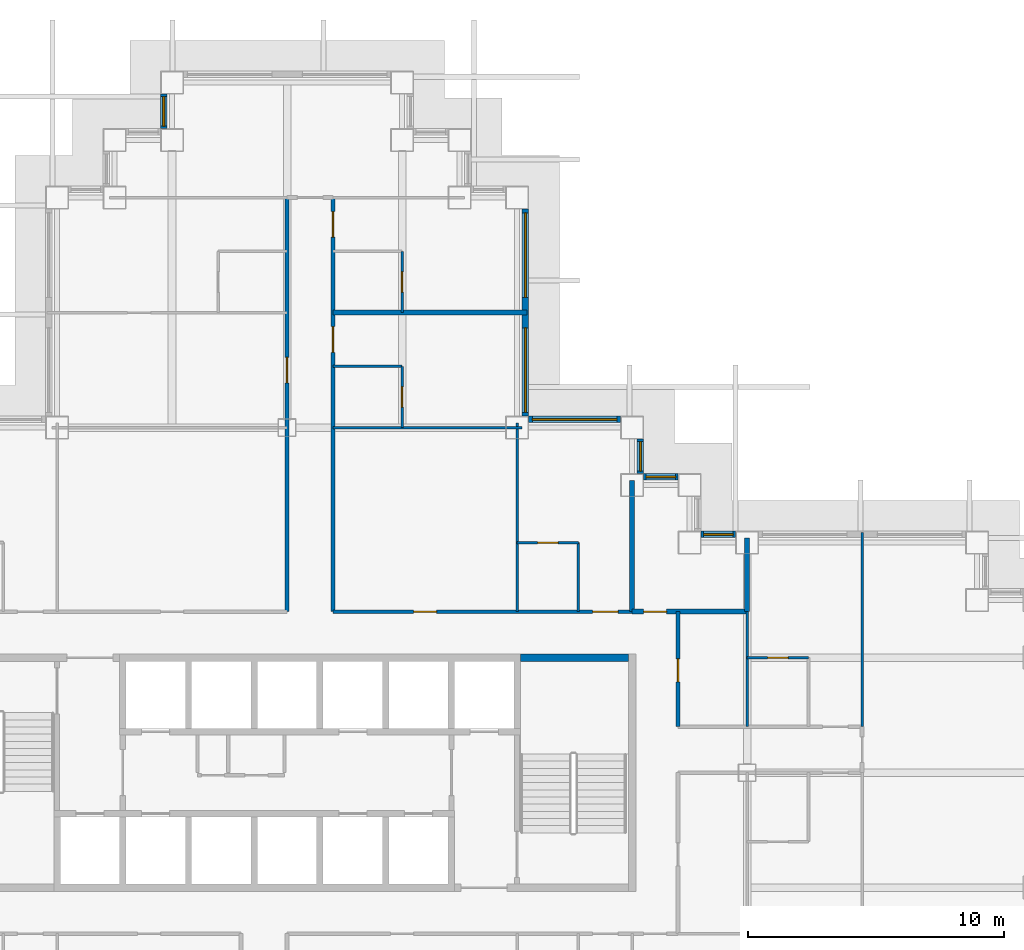
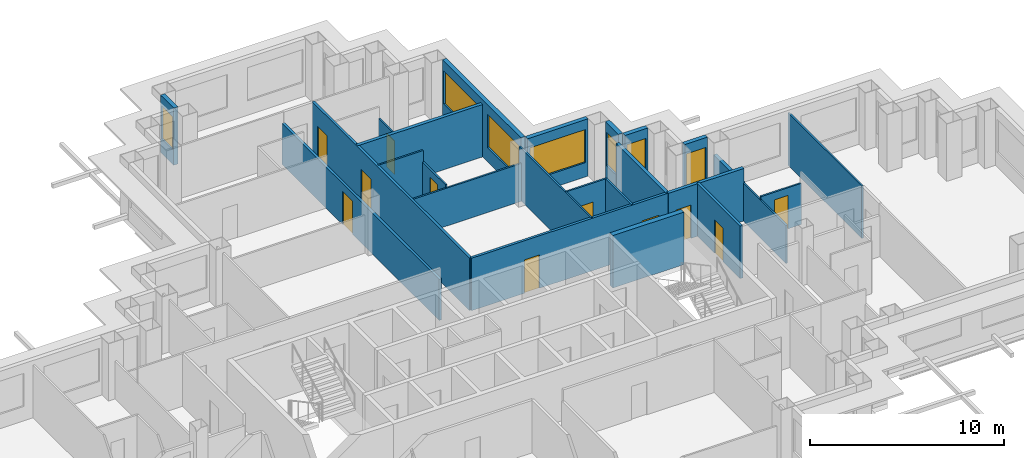
# One storey, part 8 of 15: 25 walls, 11 doors, 7 windows, 18 openings.
"""IFC4 building model written with IfcOpenShell, lengths in metres."""

from ifc_helpers import new_model, si_unit, direction, frame, frame_2d, origin, place, context, subcontext, project, spatial, rectangle, extrude, material, layer, layer_set, type_object, element, fill, save


model = new_model("IFC4")

# Units and contexts
model_context = context("Model", 3, precision=1e-05, world=origin(), true_north=direction((0.0, 1.0)))
body_context = subcontext(model_context, "Body", "Model", "MODEL_VIEW")
ifc_project = project(units=[si_unit("LENGTHUNIT", "METRE"), si_unit("AREAUNIT", "SQUARE_METRE"), si_unit("VOLUMEUNIT", "CUBIC_METRE"), si_unit("PLANEANGLEUNIT", "RADIAN"), si_unit("MASSUNIT", "GRAM", prefix="KILO")], contexts=[model_context])

# Site, building, storey
site_placement = place(None, origin())
site = spatial("IfcSite", under=ifc_project, at=site_placement, CompositionType="ELEMENT")
building_placement = place(site_placement, origin())
building = spatial("IfcBuilding", under=site, at=building_placement, Name="Caravel Reach Hotel and Residences", CompositionType="ELEMENT")
storey_placement = place(building_placement, frame((0.0, 0.0, 111.60009765625)))
storey = spatial("IfcBuildingStorey", under=building, at=storey_placement, Name="L27", CompositionType="ELEMENT", Elevation=111.60009765625)

# Wall, opening, door
ifc_material_1 = material(Name="Gypsum board on steel stud", Category="steel")
ifc_layer_1 = layer(ifc_material_1, 0.10009765625)
ifc_layer_set_1 = layer_set([ifc_layer_1], Name="Bathroom pod wall 100 mm")
wall_type_1 = type_object("IfcWallType", Name="Bathroom pod wall 100 mm", PredefinedType="PARTITIONING", material=ifc_layer_set_1)
wall_1_placement = place(storey_placement, frame((49.5, 31.5, 0.0), z_axis=(0.0, 0.0, 1.0), x_axis=(1.0, 0.0, 0.0)))
wall_1 = element("IfcWall", 1, at=wall_1_placement, inside=storey, type_object=wall_type_1, Name="L27 wall w074", PredefinedType="PARTITIONING", context=body_context, shape_type="SweptSolid", body=[
    extrude(rectangle(XDim=2.39990234375, YDim=0.10009765625, at=frame_2d((1.199951171875, 0.0))), origin(), (0.0, 0.0, 1.0), 2.579833984375),
])
opening_1_placement = place(wall_1_placement, frame((0.800048828125, 0.0, 0.0)))
opening_1 = element("IfcOpeningElement", 2, at=opening_1_placement, cuts=wall_1, Name="Opening D27-023", PredefinedType="OPENING", context=body_context, shape_type="SweptSolid", body=[
    extrude(rectangle(XDim=0.800048828125, YDim=2.10009765625, at=frame_2d((0.39990234375, 1.050048828125))), frame((0.0, 0.06005859375, 0.0), z_axis=(0.0, -1.0, 0.0), x_axis=(1.0, 0.0, 0.0)), (0.0, 0.0, 1.0), 0.1201171875),
])
ifc_material_2 = material(Name="Timber and steel door leaf", Category="steel")
door_type_1 = type_object("IfcDoorType", Name="Bathroom door 800 x 2100", OperationType="SINGLE_SWING_LEFT", PredefinedType="DOOR", material=ifc_material_2)
door_1_placement = place(opening_1_placement, origin())
door_1 = element("IfcDoor", 3, at=door_1_placement, inside=storey, type_object=door_type_1, Name="door D27-023", OperationType="SINGLE_SWING_RIGHT", OverallHeight=2.10009765625, OverallWidth=0.800048828125, PredefinedType="DOOR", context=body_context, shape_type="SweptSolid", body=[
    extrude(rectangle(XDim=0.800048828125, YDim=2.10009765625, at=frame_2d((0.39990234375, 1.050048828125))), frame((0.0, 0.02490234375, 0.0), z_axis=(0.0, -1.0, 0.0), x_axis=(1.0, 0.0, 0.0)), (0.0, 0.0, 1.0), 0.050048828125),
])
fill(opening_1, door_1)

wall_2_placement = place(storey_placement, frame((40.5, 36.0, 0.0), z_axis=(0.0, 0.0, 1.0), x_axis=(1.0, 0.0, 0.0)))
wall_2 = element("IfcWall", 4, at=wall_2_placement, inside=storey, type_object=wall_type_1, Name="L27 wall w076", PredefinedType="PARTITIONING", context=body_context, shape_type="SweptSolid", body=[
    extrude(rectangle(XDim=2.39990234375, YDim=0.10009765625, at=frame_2d((1.199951171875, 0.0))), origin(), (0.0, 0.0, 1.0), 3.2998046875),
])
opening_2_placement = place(wall_2_placement, frame((0.800048828125, 0.0, 0.0)))
opening_2 = element("IfcOpeningElement", 5, at=opening_2_placement, cuts=wall_2, Name="Opening D27-043", PredefinedType="OPENING", context=body_context, shape_type="SweptSolid", body=[
    extrude(rectangle(XDim=0.800048828125, YDim=2.10009765625, at=frame_2d((0.39990234375, 1.050048828125))), frame((0.0, 0.06005859375, 0.0), z_axis=(0.0, -1.0, 0.0), x_axis=(1.0, 0.0, 0.0)), (0.0, 0.0, 1.0), 0.1201171875),
])
door_2_placement = place(opening_2_placement, origin())
door_2 = element("IfcDoor", 6, at=door_2_placement, inside=storey, type_object=door_type_1, Name="door D27-043", OperationType="SINGLE_SWING_LEFT", OverallHeight=2.10009765625, OverallWidth=0.800048828125, PredefinedType="DOOR", context=body_context, shape_type="SweptSolid", body=[
    extrude(rectangle(XDim=0.800048828125, YDim=2.10009765625, at=frame_2d((0.39990234375, 1.050048828125))), frame((0.0, 0.02490234375, 0.0), z_axis=(0.0, -1.0, 0.0), x_axis=(1.0, 0.0, 0.0)), (0.0, 0.0, 1.0), 0.050048828125),
])
fill(opening_2, door_2)

# Wall
wall_3_placement = place(storey_placement, frame((33.300048828125, 42.89990234375, 0.0), z_axis=(0.0, 0.0, 1.0), x_axis=(1.0, 0.0, 0.0)))
element("IfcWall", 7, at=wall_3_placement, inside=storey, type_object=wall_type_1, Name="L27 wall w077", PredefinedType="PARTITIONING", context=body_context, shape_type="SweptSolid", body=[
    extrude(rectangle(XDim=2.699951171875, YDim=0.10009765625, at=frame_2d((1.35009765625, 0.0))), origin(), (0.0, 0.0, 1.0), 3.2998046875),
])

# Wall, opening, door
wall_4_placement = place(storey_placement, frame((36.0, 40.5, 0.0), z_axis=(0.0, 0.0, 1.0), x_axis=(0.0, 1.0, 0.0)))
wall_4 = element("IfcWall", 8, at=wall_4_placement, inside=storey, type_object=wall_type_1, Name="L27 wall w088", PredefinedType="PARTITIONING", context=body_context, shape_type="SweptSolid", body=[
    extrude(rectangle(XDim=2.39990234375, YDim=0.10009765625, at=frame_2d((1.199951171875, 0.0))), origin(), (0.0, 0.0, 1.0), 2.579833984375),
])
opening_3_placement = place(wall_4_placement, frame((0.800048828125, 0.0, 0.0)))
opening_3 = element("IfcOpeningElement", 9, at=opening_3_placement, cuts=wall_4, Name="Opening D27-028", PredefinedType="OPENING", context=body_context, shape_type="SweptSolid", body=[
    extrude(rectangle(XDim=0.800048828125, YDim=2.10009765625, at=frame_2d((0.39990234375, 1.050048828125))), frame((0.0, 0.06005859375, 0.0), z_axis=(0.0, -1.0, 0.0), x_axis=(1.0, 0.0, 0.0)), (0.0, 0.0, 1.0), 0.1201171875),
])
door_3_placement = place(opening_3_placement, origin())
door_3 = element("IfcDoor", 10, at=door_3_placement, inside=storey, type_object=door_type_1, Name="door D27-028", OperationType="SINGLE_SWING_LEFT", OverallHeight=2.10009765625, OverallWidth=0.800048828125, PredefinedType="DOOR", context=body_context, shape_type="SweptSolid", body=[
    extrude(rectangle(XDim=0.800048828125, YDim=2.10009765625, at=frame_2d((0.39990234375, 1.050048828125))), frame((0.0, 0.02490234375, 0.0), z_axis=(0.0, -1.0, 0.0), x_axis=(1.0, 0.0, 0.0)), (0.0, 0.0, 1.0), 0.050048828125),
])
fill(opening_3, door_3)

wall_5_placement = place(storey_placement, frame((36.0, 45.0, 0.0), z_axis=(0.0, 0.0, 1.0), x_axis=(0.0, 1.0, 0.0)))
wall_5 = element("IfcWall", 11, at=wall_5_placement, inside=storey, type_object=wall_type_1, Name="L27 wall w089", PredefinedType="PARTITIONING", context=body_context, shape_type="SweptSolid", body=[
    extrude(rectangle(XDim=2.39990234375, YDim=0.10009765625, at=frame_2d((1.199951171875, 0.0))), origin(), (0.0, 0.0, 1.0), 2.579833984375),
])
opening_4_placement = place(wall_5_placement, frame((0.800048828125, 0.0, 0.0)))
opening_4 = element("IfcOpeningElement", 12, at=opening_4_placement, cuts=wall_5, Name="Opening D27-030", PredefinedType="OPENING", context=body_context, shape_type="SweptSolid", body=[
    extrude(rectangle(XDim=0.800048828125, YDim=2.10009765625, at=frame_2d((0.39990234375, 1.050048828125))), frame((0.0, 0.06005859375, 0.0), z_axis=(0.0, -1.0, 0.0), x_axis=(1.0, 0.0, 0.0)), (0.0, 0.0, 1.0), 0.1201171875),
])
door_4_placement = place(opening_4_placement, origin())
door_4 = element("IfcDoor", 13, at=door_4_placement, inside=storey, type_object=door_type_1, Name="door D27-030", OperationType="SINGLE_SWING_RIGHT", OverallHeight=2.10009765625, OverallWidth=0.800048828125, PredefinedType="DOOR", context=body_context, shape_type="SweptSolid", body=[
    extrude(rectangle(XDim=0.800048828125, YDim=2.10009765625, at=frame_2d((0.39990234375, 1.050048828125))), frame((0.0, 0.02490234375, 0.0), z_axis=(0.0, -1.0, 0.0), x_axis=(1.0, 0.0, 0.0)), (0.0, 0.0, 1.0), 0.050048828125),
])
fill(opening_4, door_4)

# Wall
wall_6_placement = place(storey_placement, frame((42.89990234375, 33.300048828125, 0.0), z_axis=(0.0, 0.0, 1.0), x_axis=(0.0, 1.0, 0.0)))
element("IfcWall", 14, at=wall_6_placement, inside=storey, type_object=wall_type_1, Name="L27 wall w090", PredefinedType="PARTITIONING", context=body_context, shape_type="SweptSolid", body=[
    extrude(rectangle(XDim=2.699951171875, YDim=0.10009765625, at=frame_2d((1.35009765625, 0.0))), origin(), (0.0, 0.0, 1.0), 3.2998046875),
])

# Wall, opening, door
ifc_material_3 = material(Name="Autoclaved aerated block wall")
ifc_layer_2 = layer(ifc_material_3, 0.199951171875)
ifc_layer_set_2 = layer_set([ifc_layer_2], Name="Compartment wall 200 mm EI 120")
wall_type_2 = type_object("IfcWallType", Name="Compartment wall 200 mm EI 120", PredefinedType="PARTITIONING", material=ifc_layer_set_2)
wall_7_placement = place(storey_placement, frame((45.0, 33.300048828125, 0.0), z_axis=(0.0, 0.0, 1.0), x_axis=(1.0, 0.0, 0.0)))
wall_7 = element("IfcWall", 15, at=wall_7_placement, inside=storey, type_object=wall_type_2, Name="L27 wall w094", PredefinedType="PARTITIONING", context=body_context, shape_type="SweptSolid", body=[
    extrude(rectangle(XDim=4.5, YDim=0.199951171875, at=frame_2d((2.25, 0.0))), origin(), (0.0, 0.0, 1.0), 3.2998046875),
])
opening_5_placement = place(wall_7_placement, frame((0.449951171875, 0.0, 0.0)))
opening_5 = element("IfcOpeningElement", 16, at=opening_5_placement, cuts=wall_7, Name="Opening D27-044", PredefinedType="OPENING", context=body_context, shape_type="SweptSolid", body=[
    extrude(rectangle(XDim=0.89990234375, YDim=2.10009765625, at=frame_2d((0.449951171875, 1.050048828125))), frame((0.0, 0.10986328125, 0.0), z_axis=(0.0, -1.0, 0.0), x_axis=(1.0, 0.0, 0.0)), (0.0, 0.0, 1.0), 0.219970703125),
])
ifc_material_4 = material(Name="Steel fire door leaf", Category="steel")
door_type_2 = type_object("IfcDoorType", Name="Riser door 900 x 2100 EI 60", OperationType="SINGLE_SWING_LEFT", PredefinedType="DOOR", material=ifc_material_4)
door_5_placement = place(opening_5_placement, origin())
door_5 = element("IfcDoor", 17, at=door_5_placement, inside=storey, type_object=door_type_2, Name="door D27-044", OperationType="SINGLE_SWING_RIGHT", OverallHeight=2.10009765625, OverallWidth=0.89990234375, PredefinedType="DOOR", context=body_context, shape_type="SweptSolid", body=[
    extrude(rectangle(XDim=0.89990234375, YDim=2.10009765625, at=frame_2d((0.449951171875, 1.050048828125))), frame((0.0, 0.02490234375, 0.0), z_axis=(0.0, -1.0, 0.0), x_axis=(1.0, 0.0, 0.0)), (0.0, 0.0, 1.0), 0.050048828125),
])
fill(opening_5, door_5)

# Walls
wall_8_placement = place(storey_placement, frame((45.0, 33.300048828125, 0.0), z_axis=(0.0, 0.0, 1.0), x_axis=(0.0, 1.0, 0.0)))
element("IfcWall", 18, at=wall_8_placement, inside=storey, type_object=wall_type_2, Name="L27 wall w096", PredefinedType="PARTITIONING", context=body_context, shape_type="SweptSolid", body=[
    extrude(rectangle(XDim=5.139892578125, YDim=0.199951171875, at=frame_2d((2.56982421875, 0.0))), origin(), (0.0, 0.0, 1.0), 3.2998046875),
])
wall_9_placement = place(storey_placement, frame((49.5, 33.300048828125, 0.0), z_axis=(0.0, 0.0, 1.0), x_axis=(0.0, 1.0, 0.0)))
element("IfcWall", 19, at=wall_9_placement, inside=storey, type_object=wall_type_2, Name="L27 wall w097", PredefinedType="PARTITIONING", context=body_context, shape_type="SweptSolid", body=[
    extrude(rectangle(XDim=2.889892578125, YDim=0.199951171875, at=frame_2d((1.44482421875, 0.0))), origin(), (0.0, 0.0, 1.0), 2.3798828125),
])
ifc_material_5 = material(Name="Concrete C60", Category="concrete")
ifc_layer_3 = layer(ifc_material_5, 0.300048828125)
ifc_layer_set_3 = layer_set([ifc_layer_3], Name="Core wall 300 mm EI 120")
wall_type_3 = type_object("IfcWallType", Name="Core wall 300 mm EI 120", PredefinedType="SHEAR", material=ifc_layer_set_3)
wall_10_placement = place(storey_placement, frame((40.625, 31.5, 0.0), z_axis=(0.0, 0.0, 1.0), x_axis=(1.0, 0.0, 0.0)))
element("IfcWall", 20, at=wall_10_placement, inside=storey, type_object=wall_type_3, Name="L27 core wall N2", PredefinedType="SHEAR", context=body_context, shape_type="SweptSolid", body=[
    extrude(rectangle(XDim=4.22509765625, YDim=0.300048828125, at=frame_2d((2.112548828125, 0.0))), origin(), (0.0, 0.0, 1.0), 3.2998046875),
])

# Wall, openings, doors
ifc_material_6 = material(Name="Gypsum board on steel stud, fire-rated", Category="steel")
ifc_layer_4 = layer(ifc_material_6, 0.14990234375)
ifc_layer_set_4 = layer_set([ifc_layer_4], Name="Corridor wall 150 mm EI 60")
wall_type_4 = type_object("IfcWallType", Name="Corridor wall 150 mm EI 60", PredefinedType="PARTITIONING", material=ifc_layer_set_4)
wall_11_placement = place(storey_placement, frame((33.300048828125, 33.300048828125, 0.0), z_axis=(0.0, 0.0, 1.0), x_axis=(1.0, 0.0, 0.0)))
wall_11 = element("IfcWall", 21, at=wall_11_placement, inside=storey, type_object=wall_type_4, Name="L27 wall w017", PredefinedType="PARTITIONING", context=body_context, shape_type="SweptSolid", body=[
    extrude(rectangle(XDim=11.699951171875, YDim=0.14990234375, at=frame_2d((5.85009765625, 0.0))), origin(), (0.0, 0.0, 1.0), 3.2998046875),
])
opening_6_placement = place(wall_11_placement, frame((10.14990234375, 0.0, 0.0)))
opening_6 = element("IfcOpeningElement", 22, at=opening_6_placement, cuts=wall_11, Name="Opening D27-042", PredefinedType="OPENING", context=body_context, shape_type="SweptSolid", body=[
    extrude(rectangle(XDim=1.0, YDim=2.10009765625, at=frame_2d((0.5, 1.050048828125))), frame((0.0, 0.0849609375, 0.0), z_axis=(0.0, -1.0, 0.0), x_axis=(1.0, 0.0, 0.0)), (0.0, 0.0, 1.0), 0.169921875),
])
opening_7_placement = place(wall_11_placement, frame((3.14990234375, 0.0, 0.0)))
opening_7 = element("IfcOpeningElement", 23, at=opening_7_placement, cuts=wall_11, Name="Opening D27-051", PredefinedType="OPENING", context=body_context, shape_type="SweptSolid", body=[
    extrude(rectangle(XDim=0.89990234375, YDim=2.10009765625, at=frame_2d((0.449951171875, 1.050048828125))), frame((0.0, 0.0849609375, 0.0), z_axis=(0.0, -1.0, 0.0), x_axis=(1.0, 0.0, 0.0)), (0.0, 0.0, 1.0), 0.169921875),
])
ifc_material_7 = material(Name="Timber and steel door leaf", Category="steel")
door_type_3 = type_object("IfcDoorType", Name="Door 900 x 2100 timber", OperationType="SINGLE_SWING_LEFT", PredefinedType="DOOR", material=ifc_material_7)
door_6_placement = place(opening_7_placement, origin())
door_6 = element("IfcDoor", 24, at=door_6_placement, inside=storey, type_object=door_type_3, Name="door D27-051", OperationType="SINGLE_SWING_RIGHT", OverallHeight=2.10009765625, OverallWidth=0.89990234375, PredefinedType="DOOR", context=body_context, shape_type="SweptSolid", body=[
    extrude(rectangle(XDim=0.89990234375, YDim=2.10009765625, at=frame_2d((0.449951171875, 1.050048828125))), frame((0.0, 0.02490234375, 0.0), z_axis=(0.0, -1.0, 0.0), x_axis=(1.0, 0.0, 0.0)), (0.0, 0.0, 1.0), 0.050048828125),
])
fill(opening_7, door_6)
ifc_material_8 = material(Name="Steel fire door leaf", Category="steel")
door_type_4 = type_object("IfcDoorType", Name="Guest room door 1000 x 2100 EI 30", OperationType="SINGLE_SWING_LEFT", PredefinedType="DOOR", material=ifc_material_8)
door_7_placement = place(opening_6_placement, origin())
door_7 = element("IfcDoor", 25, at=door_7_placement, inside=storey, type_object=door_type_4, Name="door D27-042", OperationType="SINGLE_SWING_RIGHT", OverallHeight=2.10009765625, OverallWidth=1.0, PredefinedType="DOOR", context=body_context, shape_type="SweptSolid", body=[
    extrude(rectangle(XDim=1.0, YDim=2.10009765625, at=frame_2d((0.5, 1.050048828125))), frame((0.0, 0.02490234375, 0.0), z_axis=(0.0, -1.0, 0.0), x_axis=(1.0, 0.0, 0.0)), (0.0, 0.0, 1.0), 0.050048828125),
])
fill(opening_6, door_7)

# Wall, opening, door
wall_12_placement = place(storey_placement, frame((31.5, 33.300048828125, 0.0), z_axis=(0.0, 0.0, 1.0), x_axis=(0.0, 1.0, 0.0)))
wall_12 = element("IfcWall", 26, at=wall_12_placement, inside=storey, type_object=wall_type_4, Name="L27 wall w026", PredefinedType="PARTITIONING", context=body_context, shape_type="SweptSolid", body=[
    extrude(rectangle(XDim=16.199951171875, YDim=0.14990234375, at=frame_2d((8.10009765625, 0.0))), origin(), (0.0, 0.0, 1.0), 2.579833984375),
])
opening_8_placement = place(wall_12_placement, frame((8.949951171875, 0.0, 0.0)))
opening_8 = element("IfcOpeningElement", 27, at=opening_8_placement, cuts=wall_12, Name="Opening D27-024", PredefinedType="OPENING", context=body_context, shape_type="SweptSolid", body=[
    extrude(rectangle(XDim=1.0, YDim=2.10009765625, at=frame_2d((0.5, 1.050048828125))), frame((0.0, 0.0849609375, 0.0), z_axis=(0.0, -1.0, 0.0), x_axis=(1.0, 0.0, 0.0)), (0.0, 0.0, 1.0), 0.169921875),
])
door_8_placement = place(opening_8_placement, origin())
door_8 = element("IfcDoor", 28, at=door_8_placement, inside=storey, type_object=door_type_4, Name="door D27-024", OperationType="SINGLE_SWING_LEFT", OverallHeight=2.10009765625, OverallWidth=1.0, PredefinedType="DOOR", context=body_context, shape_type="SweptSolid", body=[
    extrude(rectangle(XDim=1.0, YDim=2.10009765625, at=frame_2d((0.5, 1.050048828125))), frame((0.0, 0.02490234375, 0.0), z_axis=(0.0, -1.0, 0.0), x_axis=(1.0, 0.0, 0.0)), (0.0, 0.0, 1.0), 0.050048828125),
])
fill(opening_8, door_8)

# Wall, openings, doors
wall_13_placement = place(storey_placement, frame((33.300048828125, 33.300048828125, 0.0), z_axis=(0.0, 0.0, 1.0), x_axis=(0.0, 1.0, 0.0)))
wall_13 = element("IfcWall", 29, at=wall_13_placement, inside=storey, type_object=wall_type_4, Name="L27 wall w032", PredefinedType="PARTITIONING", context=body_context, shape_type="SweptSolid", body=[
    extrude(rectangle(XDim=16.199951171875, YDim=0.14990234375, at=frame_2d((8.10009765625, 0.0))), origin(), (0.0, 0.0, 1.0), 3.2998046875),
])
opening_9_placement = place(wall_13_placement, frame((10.14990234375, 0.0, 0.0)))
opening_9 = element("IfcOpeningElement", 30, at=opening_9_placement, cuts=wall_13, Name="Opening D27-027", PredefinedType="OPENING", context=body_context, shape_type="SweptSolid", body=[
    extrude(rectangle(XDim=1.0, YDim=2.10009765625, at=frame_2d((0.5, 1.050048828125))), frame((0.0, 0.0849609375, 0.0), z_axis=(0.0, -1.0, 0.0), x_axis=(1.0, 0.0, 0.0)), (0.0, 0.0, 1.0), 0.169921875),
])
opening_10_placement = place(wall_13_placement, frame((14.64990234375, 0.0, 0.0)))
opening_10 = element("IfcOpeningElement", 31, at=opening_10_placement, cuts=wall_13, Name="Opening D27-029", PredefinedType="OPENING", context=body_context, shape_type="SweptSolid", body=[
    extrude(rectangle(XDim=1.0, YDim=2.10009765625, at=frame_2d((0.5, 1.050048828125))), frame((0.0, 0.0849609375, 0.0), z_axis=(0.0, -1.0, 0.0), x_axis=(1.0, 0.0, 0.0)), (0.0, 0.0, 1.0), 0.169921875),
])
door_9_placement = place(opening_9_placement, origin())
door_9 = element("IfcDoor", 32, at=door_9_placement, inside=storey, type_object=door_type_4, Name="door D27-027", OperationType="SINGLE_SWING_RIGHT", OverallHeight=2.10009765625, OverallWidth=1.0, PredefinedType="DOOR", context=body_context, shape_type="SweptSolid", body=[
    extrude(rectangle(XDim=1.0, YDim=2.10009765625, at=frame_2d((0.5, 1.050048828125))), frame((0.0, 0.02490234375, 0.0), z_axis=(0.0, -1.0, 0.0), x_axis=(1.0, 0.0, 0.0)), (0.0, 0.0, 1.0), 0.050048828125),
])
fill(opening_9, door_9)
door_10_placement = place(opening_10_placement, origin())
door_10 = element("IfcDoor", 33, at=door_10_placement, inside=storey, type_object=door_type_4, Name="door D27-029", OperationType="SINGLE_SWING_RIGHT", OverallHeight=2.10009765625, OverallWidth=1.0, PredefinedType="DOOR", context=body_context, shape_type="SweptSolid", body=[
    extrude(rectangle(XDim=1.0, YDim=2.10009765625, at=frame_2d((0.5, 1.050048828125))), frame((0.0, 0.02490234375, 0.0), z_axis=(0.0, -1.0, 0.0), x_axis=(1.0, 0.0, 0.0)), (0.0, 0.0, 1.0), 0.050048828125),
])
fill(opening_10, door_10)

# Wall, opening, door
wall_14_placement = place(storey_placement, frame((46.800048828125, 28.800048828125, 0.0), z_axis=(0.0, 0.0, 1.0), x_axis=(0.0, 1.0, 0.0)))
wall_14 = element("IfcWall", 34, at=wall_14_placement, inside=storey, type_object=wall_type_4, Name="L27 wall w033", PredefinedType="PARTITIONING", context=body_context, shape_type="SweptSolid", body=[
    extrude(rectangle(XDim=4.5, YDim=0.14990234375, at=frame_2d((2.25, 0.0))), origin(), (0.0, 0.0, 1.0), 3.2998046875),
])
opening_11_placement = place(wall_14_placement, frame((1.75, 0.0, 0.0)))
opening_11 = element("IfcOpeningElement", 35, at=opening_11_placement, cuts=wall_14, Name="Opening D27-057", PredefinedType="OPENING", context=body_context, shape_type="SweptSolid", body=[
    extrude(rectangle(XDim=0.89990234375, YDim=2.10009765625, at=frame_2d((0.449951171875, 1.050048828125))), frame((0.0, 0.0849609375, 0.0), z_axis=(0.0, -1.0, 0.0), x_axis=(1.0, 0.0, 0.0)), (0.0, 0.0, 1.0), 0.169921875),
])
door_11_placement = place(opening_11_placement, origin())
door_11 = element("IfcDoor", 36, at=door_11_placement, inside=storey, type_object=door_type_3, Name="door D27-057", OperationType="SINGLE_SWING_LEFT", OverallHeight=2.10009765625, OverallWidth=0.89990234375, PredefinedType="DOOR", context=body_context, shape_type="SweptSolid", body=[
    extrude(rectangle(XDim=0.89990234375, YDim=2.10009765625, at=frame_2d((0.449951171875, 1.050048828125))), frame((0.0, 0.02490234375, 0.0), z_axis=(0.0, -1.0, 0.0), x_axis=(1.0, 0.0, 0.0)), (0.0, 0.0, 1.0), 0.050048828125),
])
fill(opening_11, door_11)

# Wall, opening, window
ifc_material_9 = material(Name="Insulated rainscreen wall, aluminium cladding", Category="aluminium")
ifc_layer_5 = layer(ifc_material_9, 0.25)
ifc_layer_set_5 = layer_set([ifc_layer_5], Name="EW1 Tower rainscreen wall")
wall_type_5 = type_object("IfcWallType", Name="EW1 Tower rainscreen wall", PredefinedType="SOLIDWALL", material=ifc_layer_set_5)
wall_15_placement = place(storey_placement, frame((49.050048828125, 36.324951171875, 0.0), z_axis=(0.0, 0.0, 1.0), x_axis=(-1.0, 0.0, 0.0)))
wall_15 = element("IfcWall", 37, at=wall_15_placement, inside=storey, type_object=wall_type_5, Name="External wall L27 N25.2", PredefinedType="SOLIDWALL", context=body_context, shape_type="SweptSolid", body=[
    extrude(rectangle(XDim=1.35009765625, YDim=0.25, at=frame_2d((0.675048828125, 0.0))), origin(), (0.0, 0.0, 1.0), 3.599853515625),
])
opening_12_placement = place(wall_15_placement, frame((0.10009765625, 0.0, 0.89990234375)))
opening_12 = element("IfcOpeningElement", 38, at=opening_12_placement, cuts=wall_15, Name="Opening WN8", PredefinedType="OPENING", context=body_context, shape_type="SweptSolid", body=[
    extrude(rectangle(XDim=1.14990234375, YDim=2.080078125, at=frame_2d((0.574951171875, 1.0400390625))), frame((0.0, 0.135009765625, 0.0), z_axis=(0.0, -1.0, 0.0), x_axis=(1.0, 0.0, 0.0)), (0.0, 0.0, 1.0), 0.27001953125),
])
ifc_material_10 = material(Name="Dark low-e glazing in black aluminium frame", Category="aluminium")
window_type_1 = type_object("IfcWindowType", Name="Hotel suite corner window 1150 x 2080", PartitioningType="SINGLE_PANEL", PredefinedType="WINDOW", material=ifc_material_10)
window_1_placement = place(opening_12_placement, origin())
window_1 = element("IfcWindow", 39, at=window_1_placement, inside=storey, type_object=window_type_1, Name="Window L27 N25.2.1", OverallHeight=2.080078125, OverallWidth=1.14990234375, PartitioningType="SINGLE_PANEL", PredefinedType="WINDOW", context=body_context, shape_type="SweptSolid", body=[
    extrude(rectangle(XDim=1.14990234375, YDim=2.080078125, at=frame_2d((0.574951171875, 1.0400390625))), frame((0.0, 0.030029296875, 0.0), z_axis=(0.0, -1.0, 0.0), x_axis=(1.0, 0.0, 0.0)), (0.0, 0.0, 1.0), 0.06005859375),
])
fill(opening_12, window_1)

wall_16_placement = place(storey_placement, frame((46.800048828125, 38.574951171875, 0.0), z_axis=(0.0, 0.0, 1.0), x_axis=(-1.0, 0.0, 0.0)))
wall_16 = element("IfcWall", 40, at=wall_16_placement, inside=storey, type_object=wall_type_5, Name="External wall L27 N27.1", PredefinedType="SOLIDWALL", context=body_context, shape_type="SweptSolid", body=[
    extrude(rectangle(XDim=1.35009765625, YDim=0.25, at=frame_2d((0.675048828125, 0.0))), origin(), (0.0, 0.0, 1.0), 3.599853515625),
])
opening_13_placement = place(wall_16_placement, frame((0.10009765625, 0.0, 0.89990234375)))
opening_13 = element("IfcOpeningElement", 41, at=opening_13_placement, cuts=wall_16, Name="Opening WN8", PredefinedType="OPENING", context=body_context, shape_type="SweptSolid", body=[
    extrude(rectangle(XDim=1.14990234375, YDim=2.080078125, at=frame_2d((0.574951171875, 1.0400390625))), frame((0.0, 0.135009765625, 0.0), z_axis=(0.0, -1.0, 0.0), x_axis=(1.0, 0.0, 0.0)), (0.0, 0.0, 1.0), 0.27001953125),
])
window_2_placement = place(opening_13_placement, origin())
window_2 = element("IfcWindow", 42, at=window_2_placement, inside=storey, type_object=window_type_1, Name="Window L27 N27.1.1", OverallHeight=2.080078125, OverallWidth=1.14990234375, PartitioningType="SINGLE_PANEL", PredefinedType="WINDOW", context=body_context, shape_type="SweptSolid", body=[
    extrude(rectangle(XDim=1.14990234375, YDim=2.080078125, at=frame_2d((0.574951171875, 1.0400390625))), frame((0.0, 0.030029296875, 0.0), z_axis=(0.0, -1.0, 0.0), x_axis=(1.0, 0.0, 0.0)), (0.0, 0.0, 1.0), 0.06005859375),
])
fill(opening_13, window_2)

wall_17_placement = place(storey_placement, frame((45.324951171875, 38.699951171875, 0.0), z_axis=(0.0, 0.0, 1.0), x_axis=(0.0, 1.0, 0.0)))
wall_17 = element("IfcWall", 43, at=wall_17_placement, inside=storey, type_object=wall_type_5, Name="External wall L27 E28.1", PredefinedType="SOLIDWALL", context=body_context, shape_type="SweptSolid", body=[
    extrude(rectangle(XDim=1.35009765625, YDim=0.25, at=frame_2d((0.675048828125, 0.0))), origin(), (0.0, 0.0, 1.0), 3.599853515625),
])
opening_14_placement = place(wall_17_placement, frame((0.10009765625, 0.0, 0.89990234375)))
opening_14 = element("IfcOpeningElement", 44, at=opening_14_placement, cuts=wall_17, Name="Opening WN8", PredefinedType="OPENING", context=body_context, shape_type="SweptSolid", body=[
    extrude(rectangle(XDim=1.14990234375, YDim=2.080078125, at=frame_2d((0.574951171875, 1.0400390625))), frame((0.0, 0.135009765625, 0.0), z_axis=(0.0, -1.0, 0.0), x_axis=(1.0, 0.0, 0.0)), (0.0, 0.0, 1.0), 0.27001953125),
])
window_3_placement = place(opening_14_placement, origin())
window_3 = element("IfcWindow", 45, at=window_3_placement, inside=storey, type_object=window_type_1, Name="Window L27 E28.1.1", OverallHeight=2.080078125, OverallWidth=1.14990234375, PartitioningType="SINGLE_PANEL", PredefinedType="WINDOW", context=body_context, shape_type="SweptSolid", body=[
    extrude(rectangle(XDim=1.14990234375, YDim=2.080078125, at=frame_2d((0.574951171875, 1.0400390625))), frame((0.0, 0.030029296875, 0.0), z_axis=(0.0, -1.0, 0.0), x_axis=(1.0, 0.0, 0.0)), (0.0, 0.0, 1.0), 0.06005859375),
])
fill(opening_14, window_3)

wall_18_placement = place(storey_placement, frame((44.550048828125, 40.824951171875, 0.0), z_axis=(0.0, 0.0, 1.0), x_axis=(-1.0, 0.0, 0.0)))
wall_18 = element("IfcWall", 46, at=wall_18_placement, inside=storey, type_object=wall_type_5, Name="External wall L27 N29.1", PredefinedType="SOLIDWALL", context=body_context, shape_type="SweptSolid", body=[
    extrude(rectangle(XDim=3.60009765625, YDim=0.25, at=frame_2d((1.800048828125, 0.0))), origin(), (0.0, 0.0, 1.0), 3.599853515625),
])
opening_15_placement = place(wall_18_placement, frame((0.14990234375, 0.0, 0.89990234375)))
opening_15 = element("IfcOpeningElement", 47, at=opening_15_placement, cuts=wall_18, Name="Opening WN4", PredefinedType="OPENING", context=body_context, shape_type="SweptSolid", body=[
    extrude(rectangle(XDim=3.300048828125, YDim=2.080078125, at=frame_2d((1.64990234375, 1.0400390625))), frame((0.0, 0.135009765625, 0.0), z_axis=(0.0, -1.0, 0.0), x_axis=(1.0, 0.0, 0.0)), (0.0, 0.0, 1.0), 0.27001953125),
])
ifc_material_11 = material(Name="Dark low-e glazing in black aluminium frame", Category="aluminium")
window_type_2 = type_object("IfcWindowType", Name="Hotel guest room window 3300 x 2080", PartitioningType="SINGLE_PANEL", PredefinedType="WINDOW", material=ifc_material_11)
window_4_placement = place(opening_15_placement, origin())
window_4 = element("IfcWindow", 48, at=window_4_placement, inside=storey, type_object=window_type_2, Name="Window L27 N29.1.1", OverallHeight=2.080078125, OverallWidth=3.300048828125, PartitioningType="SINGLE_PANEL", PredefinedType="WINDOW", context=body_context, shape_type="SweptSolid", body=[
    extrude(rectangle(XDim=3.300048828125, YDim=2.080078125, at=frame_2d((1.64990234375, 1.0400390625))), frame((0.0, 0.030029296875, 0.0), z_axis=(0.0, -1.0, 0.0), x_axis=(1.0, 0.0, 0.0)), (0.0, 0.0, 1.0), 0.06005859375),
])
fill(opening_15, window_4)

# Wall, openings, windows
wall_19_placement = place(storey_placement, frame((40.824951171875, 40.949951171875, 0.0), z_axis=(0.0, 0.0, 1.0), x_axis=(0.0, 1.0, 0.0)))
wall_19 = element("IfcWall", 49, at=wall_19_placement, inside=storey, type_object=wall_type_5, Name="External wall L27 E30.1", PredefinedType="SOLIDWALL", context=body_context, shape_type="SweptSolid", body=[
    extrude(rectangle(XDim=8.10009765625, YDim=0.25, at=frame_2d((4.050048828125, 0.0))), origin(), (0.0, 0.0, 1.0), 3.599853515625),
])
opening_16_placement = place(wall_19_placement, frame((0.14990234375, 0.0, 0.89990234375)))
opening_16 = element("IfcOpeningElement", 50, at=opening_16_placement, cuts=wall_19, Name="Opening WN4", PredefinedType="OPENING", context=body_context, shape_type="SweptSolid", body=[
    extrude(rectangle(XDim=3.300048828125, YDim=2.080078125, at=frame_2d((1.64990234375, 1.0400390625))), frame((0.0, 0.135009765625, 0.0), z_axis=(0.0, -1.0, 0.0), x_axis=(1.0, 0.0, 0.0)), (0.0, 0.0, 1.0), 0.27001953125),
])
opening_17_placement = place(wall_19_placement, frame((4.64990234375, 0.0, 0.89990234375)))
opening_17 = element("IfcOpeningElement", 51, at=opening_17_placement, cuts=wall_19, Name="Opening WN4", PredefinedType="OPENING", context=body_context, shape_type="SweptSolid", body=[
    extrude(rectangle(XDim=3.300048828125, YDim=2.080078125, at=frame_2d((1.64990234375, 1.0400390625))), frame((0.0, 0.135009765625, 0.0), z_axis=(0.0, -1.0, 0.0), x_axis=(1.0, 0.0, 0.0)), (0.0, 0.0, 1.0), 0.27001953125),
])
window_5_placement = place(opening_16_placement, origin())
window_5 = element("IfcWindow", 52, at=window_5_placement, inside=storey, type_object=window_type_2, Name="Window L27 E30.1.1", OverallHeight=2.080078125, OverallWidth=3.300048828125, PartitioningType="SINGLE_PANEL", PredefinedType="WINDOW", context=body_context, shape_type="SweptSolid", body=[
    extrude(rectangle(XDim=3.300048828125, YDim=2.080078125, at=frame_2d((1.64990234375, 1.0400390625))), frame((0.0, 0.030029296875, 0.0), z_axis=(0.0, -1.0, 0.0), x_axis=(1.0, 0.0, 0.0)), (0.0, 0.0, 1.0), 0.06005859375),
])
fill(opening_16, window_5)
window_6_placement = place(opening_17_placement, origin())
window_6 = element("IfcWindow", 53, at=window_6_placement, inside=storey, type_object=window_type_2, Name="Window L27 E30.1.2", OverallHeight=2.080078125, OverallWidth=3.300048828125, PartitioningType="SINGLE_PANEL", PredefinedType="WINDOW", context=body_context, shape_type="SweptSolid", body=[
    extrude(rectangle(XDim=3.300048828125, YDim=2.080078125, at=frame_2d((1.64990234375, 1.0400390625))), frame((0.0, 0.030029296875, 0.0), z_axis=(0.0, -1.0, 0.0), x_axis=(1.0, 0.0, 0.0)), (0.0, 0.0, 1.0), 0.06005859375),
])
fill(opening_17, window_6)

# Wall, opening, window
wall_20_placement = place(storey_placement, frame((26.675048828125, 53.550048828125, 0.0), z_axis=(0.0, 0.0, 1.0), x_axis=(0.0, -1.0, 0.0)))
wall_20 = element("IfcWall", 54, at=wall_20_placement, inside=storey, type_object=wall_type_5, Name="External wall L27 W36.1", PredefinedType="SOLIDWALL", context=body_context, shape_type="SweptSolid", body=[
    extrude(rectangle(XDim=1.35009765625, YDim=0.25, at=frame_2d((0.675048828125, 0.0))), origin(), (0.0, 0.0, 1.0), 3.599853515625),
])
opening_18_placement = place(wall_20_placement, frame((0.10009765625, 0.0, 0.89990234375)))
opening_18 = element("IfcOpeningElement", 55, at=opening_18_placement, cuts=wall_20, Name="Opening WN8", PredefinedType="OPENING", context=body_context, shape_type="SweptSolid", body=[
    extrude(rectangle(XDim=1.14990234375, YDim=2.080078125, at=frame_2d((0.574951171875, 1.0400390625))), frame((0.0, 0.135009765625, 0.0), z_axis=(0.0, -1.0, 0.0), x_axis=(1.0, 0.0, 0.0)), (0.0, 0.0, 1.0), 0.27001953125),
])
window_7_placement = place(opening_18_placement, origin())
window_7 = element("IfcWindow", 56, at=window_7_placement, inside=storey, type_object=window_type_1, Name="Window L27 W36.1.1", OverallHeight=2.080078125, OverallWidth=1.14990234375, PartitioningType="SINGLE_PANEL", PredefinedType="WINDOW", context=body_context, shape_type="SweptSolid", body=[
    extrude(rectangle(XDim=1.14990234375, YDim=2.080078125, at=frame_2d((0.574951171875, 1.0400390625))), frame((0.0, 0.030029296875, 0.0), z_axis=(0.0, -1.0, 0.0), x_axis=(1.0, 0.0, 0.0)), (0.0, 0.0, 1.0), 0.06005859375),
])
fill(opening_18, window_7)

# Walls
ifc_material_12 = material(Name="Gypsum board on steel stud", Category="steel")
ifc_layer_6 = layer(ifc_material_12, 0.10009765625)
ifc_layer_set_6 = layer_set([ifc_layer_6], Name="Partition 100 mm")
wall_type_6 = type_object("IfcWallType", Name="Partition 100 mm", PredefinedType="PARTITIONING", material=ifc_layer_set_6)
wall_21_placement = place(storey_placement, frame((33.300048828125, 40.5, 0.0), z_axis=(0.0, 0.0, 1.0), x_axis=(1.0, 0.0, 0.0)))
element("IfcWall", 57, at=wall_21_placement, inside=storey, type_object=wall_type_6, Name="L27 wall w042", PredefinedType="PARTITIONING", context=body_context, shape_type="SweptSolid", body=[
    extrude(rectangle(XDim=7.389892578125, YDim=0.10009765625, at=frame_2d((3.69482421875, 0.0))), origin(), (0.0, 0.0, 1.0), 2.3798828125),
])
wall_22_placement = place(storey_placement, frame((40.5, 33.300048828125, 0.0), z_axis=(0.0, 0.0, 1.0), x_axis=(0.0, 1.0, 0.0)))
element("IfcWall", 58, at=wall_22_placement, inside=storey, type_object=wall_type_6, Name="L27 wall w055", PredefinedType="PARTITIONING", context=body_context, shape_type="SweptSolid", body=[
    extrude(rectangle(XDim=7.389892578125, YDim=0.10009765625, at=frame_2d((3.69482421875, 0.0))), origin(), (0.0, 0.0, 1.0), 3.2998046875),
])
wall_23_placement = place(storey_placement, frame((49.5, 28.800048828125, 0.0), z_axis=(0.0, 0.0, 1.0), x_axis=(0.0, 1.0, 0.0)))
element("IfcWall", 59, at=wall_23_placement, inside=storey, type_object=wall_type_6, Name="L27 wall w058", PredefinedType="PARTITIONING", context=body_context, shape_type="SweptSolid", body=[
    extrude(rectangle(XDim=4.5, YDim=0.10009765625, at=frame_2d((2.25, 0.0))), origin(), (0.0, 0.0, 1.0), 2.3798828125),
])
wall_24_placement = place(storey_placement, frame((54.0, 28.800048828125, 0.0), z_axis=(0.0, 0.0, 1.0), x_axis=(0.0, 1.0, 0.0)))
element("IfcWall", 60, at=wall_24_placement, inside=storey, type_object=wall_type_6, Name="L27 wall w061", PredefinedType="PARTITIONING", context=body_context, shape_type="SweptSolid", body=[
    extrude(rectangle(XDim=7.58984375, YDim=0.10009765625, at=frame_2d((3.794921875, 0.0))), origin(), (0.0, 0.0, 1.0), 3.2998046875),
])
ifc_material_13 = material(Name="Autoclaved aerated block wall")
ifc_layer_7 = layer(ifc_material_13, 0.199951171875)
ifc_layer_set_7 = layer_set([ifc_layer_7], Name="Party wall 200 mm EI 60")
wall_type_7 = type_object("IfcWallType", Name="Party wall 200 mm EI 60", PredefinedType="PARTITIONING", material=ifc_layer_set_7)
wall_25_placement = place(storey_placement, frame((33.300048828125, 45.0, 0.0), z_axis=(0.0, 0.0, 1.0), x_axis=(1.0, 0.0, 0.0)))
element("IfcWall", 61, at=wall_25_placement, inside=storey, type_object=wall_type_7, Name="L27 wall w065", PredefinedType="PARTITIONING", context=body_context, shape_type="SweptSolid", body=[
    extrude(rectangle(XDim=7.58984375, YDim=0.199951171875, at=frame_2d((3.794921875, 0.0))), origin(), (0.0, 0.0, 1.0), 3.2998046875),
])

save(model, "model.ifc")
